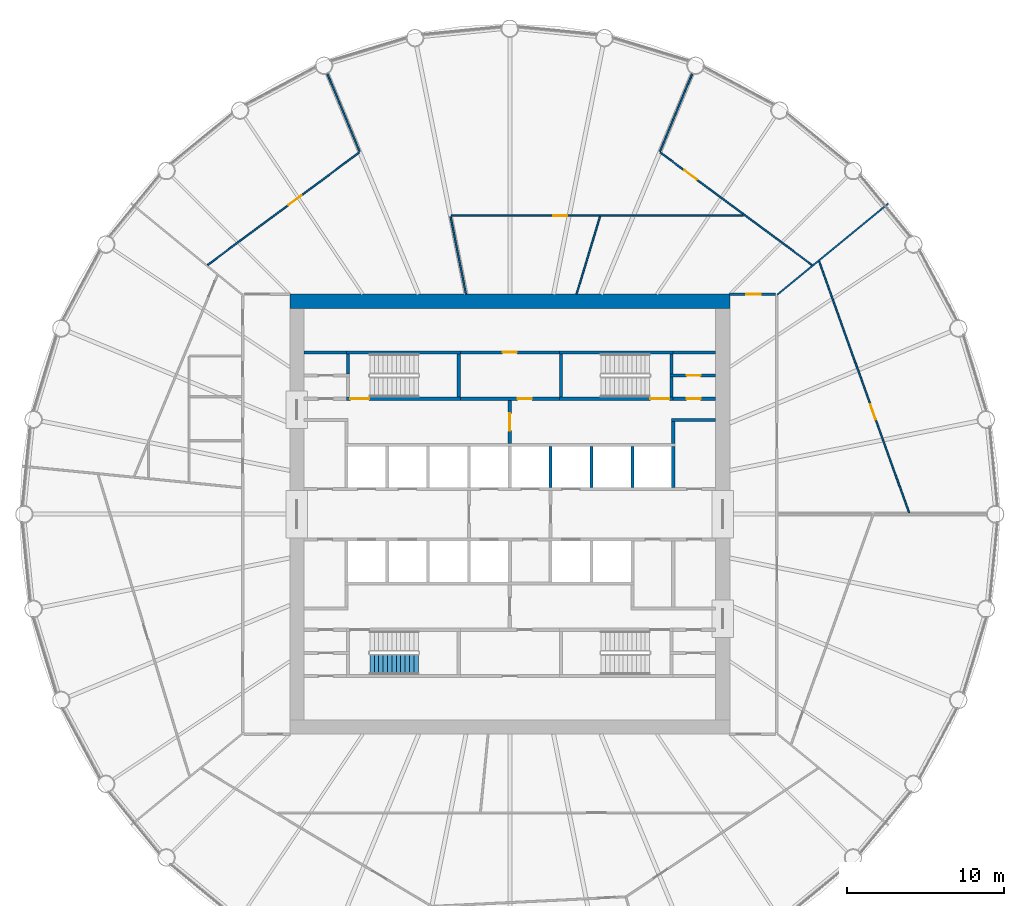
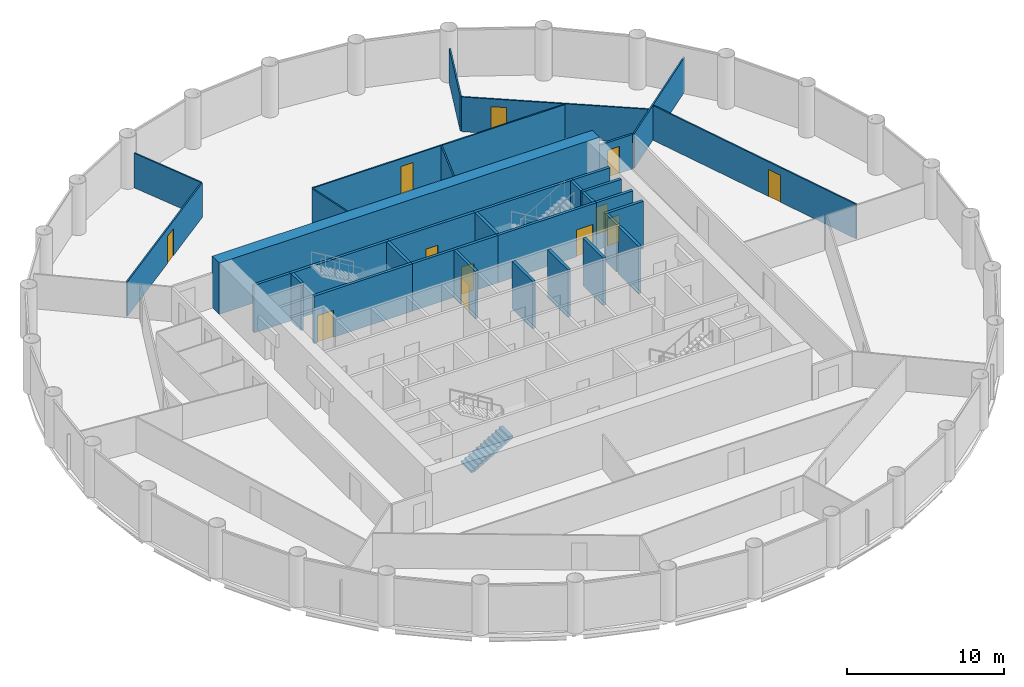
# One storey, part 7 of 9: 33 walls, 12 doors, 1 stair flight, 12 openings, 1 element without a shape of its own.
"""IFC4 building model written with IfcOpenShell, lengths in metres."""

from ifc_helpers import new_model, si_unit, direction, frame, frame_2d, origin, place, context, subcontext, project, spatial, polyline, rectangle, outline, extrude, material, layer, layer_set, type_object, element, fill, aggregate, save


model = new_model("IFC4")

# Units and contexts
model_context = context("Model", 3, precision=1e-05, world=origin(), true_north=direction((0.0, 1.0)))
body_context = subcontext(model_context, "Body", "Model", "MODEL_VIEW")
ifc_project = project(units=[si_unit("LENGTHUNIT", "METRE"), si_unit("AREAUNIT", "SQUARE_METRE"), si_unit("VOLUMEUNIT", "CUBIC_METRE"), si_unit("PLANEANGLEUNIT", "RADIAN"), si_unit("MASSUNIT", "GRAM", prefix="KILO")], contexts=[model_context])

# Site, building, storey
site_placement = place(None, origin())
site = spatial("IfcSite", under=ifc_project, at=site_placement, CompositionType="ELEMENT")
building_placement = place(site_placement, origin())
building = spatial("IfcBuilding", under=site, at=building_placement, Name="Corvane Civic Tower", CompositionType="ELEMENT")
storey_placement = place(building_placement, frame((0.0, 0.0, 164.0)))
storey = spatial("IfcBuildingStorey", under=building, at=storey_placement, Name="L38", CompositionType="ELEMENT", Elevation=164.0)

# Wall
ifc_material_1 = material(Name="Concrete C60/75", Category="concrete")
ifc_layer_1 = layer(ifc_material_1, 0.89990234375)
ifc_layer_set_1 = layer_set([ifc_layer_1], Name="Concrete C60/75")
wall_type_1 = type_object("IfcWallType", Name="CORE WALL 900 C60/75", PredefinedType="SHEAR", material=ifc_layer_set_1)
wall_1_placement = place(storey_placement, frame((-14.0, 13.550048828125, 0.0), z_axis=(0.0, 0.0, 1.0), x_axis=(1.0, 0.0, 0.0)))
element("IfcWall", 1, at=wall_1_placement, inside=storey, type_object=wall_type_1, Name="W-L38-core-N", PredefinedType="SHEAR", context=body_context, shape_type="SweptSolid", body=[
    extrude(rectangle(XDim=28.0, YDim=0.89990234375, at=frame_2d((14.0, 0.0))), origin(), (0.0, 0.0, 1.0), 4.0),
])

# Wall, opening, door
ifc_material_2 = material(Name="Concrete C30/37", Category="concrete")
ifc_layer_2 = layer(ifc_material_2, 0.199951171875)
ifc_layer_set_2 = layer_set([ifc_layer_2], Name="Concrete C30/37")
wall_type_2 = type_object("IfcWallType", Name="CR-WALL-200", PredefinedType="PARTITIONING", material=ifc_layer_set_2)
wall_2_placement = place(storey_placement, frame((-3.14990234375, 7.35009765625, 0.0), z_axis=(0.0, 0.0, 1.0), x_axis=(1.0, 0.0, 0.0)))
wall_2 = element("IfcWall", 2, at=wall_2_placement, inside=storey, type_object=wall_type_2, Name="L38 partition wall", PredefinedType="PARTITIONING", context=body_context, shape_type="SweptSolid", body=[
    extrude(rectangle(XDim=6.2998046875, YDim=0.199951171875, at=frame_2d((3.14990234375, 0.0))), origin(), (0.0, 0.0, 1.0), 3.699951171875),
])
opening_1_placement = place(wall_2_placement, frame((3.64990234375, 0.0, 0.0)))
opening_1 = element("IfcOpeningElement", 3, at=opening_1_placement, cuts=wall_2, Name="Opening L38.C07", PredefinedType="OPENING", context=body_context, shape_type="SweptSolid", body=[
    extrude(rectangle(XDim=0.89990234375, YDim=2.10009765625, at=frame_2d((0.449951171875, 1.050048828125))), frame((0.0, 0.10986328125, 0.0), z_axis=(0.0, -1.0, 0.0), x_axis=(1.0, 0.0, 0.0)), (0.0, 0.0, 1.0), 0.219970703125),
])
ifc_material_3 = material(Name="Steel fire door leaf", Category="steel")
door_type_1 = type_object("IfcDoorType", Name="CR-DOOR-900", OperationType="SINGLE_SWING_LEFT", PredefinedType="DOOR", material=ifc_material_3)
door_1_placement = place(opening_1_placement, origin())
door_1 = element("IfcDoor", 4, at=door_1_placement, inside=storey, type_object=door_type_1, Name="L38 door", OperationType="SINGLE_SWING_LEFT", OverallHeight=2.10009765625, OverallWidth=0.89990234375, PredefinedType="DOOR", context=body_context, shape_type="SweptSolid", body=[
    extrude(rectangle(XDim=0.89990234375, YDim=2.10009765625, at=frame_2d((0.449951171875, 1.050048828125))), frame((0.0, 0.02490234375, 0.0), z_axis=(0.0, -1.0, 0.0), x_axis=(1.0, 0.0, 0.0)), (0.0, 0.0, 1.0), 0.050048828125),
])
fill(opening_1, door_1)

wall_3_placement = place(storey_placement, frame((10.39990234375, 7.35009765625, 0.0), z_axis=(0.0, 0.0, 1.0), x_axis=(1.0, 0.0, 0.0)))
wall_3 = element("IfcWall", 5, at=wall_3_placement, inside=storey, type_object=wall_type_2, Name="L38 core partition wall", PredefinedType="PARTITIONING", context=body_context, shape_type="SweptSolid", body=[
    extrude(rectangle(XDim=2.7001953125, YDim=0.199951171875, at=frame_2d((1.35009765625, 0.0))), origin(), (0.0, 0.0, 1.0), 3.699951171875),
])
opening_2_placement = place(wall_3_placement, frame((0.85009765625, 0.0, 0.0)))
opening_2 = element("IfcOpeningElement", 6, at=opening_2_placement, cuts=wall_3, Name="Opening L38.C16", PredefinedType="OPENING", context=body_context, shape_type="SweptSolid", body=[
    extrude(rectangle(XDim=0.89990234375, YDim=2.10009765625, at=frame_2d((0.449951171875, 1.050048828125))), frame((0.0, 0.10986328125, 0.0), z_axis=(0.0, -1.0, 0.0), x_axis=(1.0, 0.0, 0.0)), (0.0, 0.0, 1.0), 0.219970703125),
])
door_2_placement = place(opening_2_placement, origin())
door_2 = element("IfcDoor", 7, at=door_2_placement, inside=storey, type_object=door_type_1, Name="L38 door", OperationType="SINGLE_SWING_LEFT", OverallHeight=2.10009765625, OverallWidth=0.89990234375, PredefinedType="DOOR", context=body_context, shape_type="SweptSolid", body=[
    extrude(rectangle(XDim=0.89990234375, YDim=2.10009765625, at=frame_2d((0.449951171875, 1.050048828125))), frame((0.0, 0.02490234375, 0.0), z_axis=(0.0, -1.0, 0.0), x_axis=(1.0, 0.0, 0.0)), (0.0, 0.0, 1.0), 0.050048828125),
])
fill(opening_2, door_2)

wall_4_placement = place(storey_placement, frame((10.199951171875, 8.824951171875, 0.0), z_axis=(0.0, 0.0, 1.0), x_axis=(1.0, 0.0, 0.0)))
wall_4 = element("IfcWall", 8, at=wall_4_placement, inside=storey, type_object=wall_type_2, Name="L38 partition wall", PredefinedType="PARTITIONING", context=body_context, shape_type="SweptSolid", body=[
    extrude(rectangle(XDim=2.900146484375, YDim=0.199951171875, at=frame_2d((1.4501953125, 0.0))), origin(), (0.0, 0.0, 1.0), 3.699951171875),
])
opening_3_placement = place(wall_4_placement, frame((1.050048828125, 0.0, 0.0)))
opening_3 = element("IfcOpeningElement", 9, at=opening_3_placement, cuts=wall_4, Name="Opening L38.C17", PredefinedType="OPENING", context=body_context, shape_type="SweptSolid", body=[
    extrude(rectangle(XDim=0.89990234375, YDim=2.10009765625, at=frame_2d((0.449951171875, 1.050048828125))), frame((0.0, 0.10986328125, 0.0), z_axis=(0.0, -1.0, 0.0), x_axis=(1.0, 0.0, 0.0)), (0.0, 0.0, 1.0), 0.219970703125),
])
door_3_placement = place(opening_3_placement, origin())
door_3 = element("IfcDoor", 10, at=door_3_placement, inside=storey, type_object=door_type_1, Name="L38 door", OperationType="SINGLE_SWING_LEFT", OverallHeight=2.10009765625, OverallWidth=0.89990234375, PredefinedType="DOOR", context=body_context, shape_type="SweptSolid", body=[
    extrude(rectangle(XDim=0.89990234375, YDim=2.10009765625, at=frame_2d((0.449951171875, 1.050048828125))), frame((0.0, 0.02490234375, 0.0), z_axis=(0.0, -1.0, 0.0), x_axis=(1.0, 0.0, 0.0)), (0.0, 0.0, 1.0), 0.050048828125),
])
fill(opening_3, door_3)

wall_5_placement = place(storey_placement, frame((-3.14990234375, 10.300048828125, 0.0), z_axis=(0.0, 0.0, 1.0), x_axis=(1.0, 0.0, 0.0)))
wall_5 = element("IfcWall", 11, at=wall_5_placement, inside=storey, type_object=wall_type_2, Name="L38 partition wall", PredefinedType="PARTITIONING", context=body_context, shape_type="SweptSolid", body=[
    extrude(rectangle(XDim=6.2998046875, YDim=0.199951171875, at=frame_2d((3.14990234375, 0.0))), origin(), (0.0, 0.0, 1.0), 3.699951171875),
])
opening_4_placement = place(wall_5_placement, frame((2.699951171875, 0.0, 0.0)))
opening_4 = element("IfcOpeningElement", 12, at=opening_4_placement, cuts=wall_5, Name="Opening L38.C09", PredefinedType="OPENING", context=body_context, shape_type="SweptSolid", body=[
    extrude(rectangle(XDim=0.89990234375, YDim=2.10009765625, at=frame_2d((0.449951171875, 1.050048828125))), frame((0.0, 0.10986328125, 0.0), z_axis=(0.0, -1.0, 0.0), x_axis=(1.0, 0.0, 0.0)), (0.0, 0.0, 1.0), 0.219970703125),
])
door_4_placement = place(opening_4_placement, origin())
door_4 = element("IfcDoor", 13, at=door_4_placement, inside=storey, type_object=door_type_1, Name="L38 door", OperationType="SINGLE_SWING_LEFT", OverallHeight=2.10009765625, OverallWidth=0.89990234375, PredefinedType="DOOR", context=body_context, shape_type="SweptSolid", body=[
    extrude(rectangle(XDim=0.89990234375, YDim=2.10009765625, at=frame_2d((0.449951171875, 1.050048828125))), frame((0.0, 0.02490234375, 0.0), z_axis=(0.0, -1.0, 0.0), x_axis=(1.0, 0.0, 0.0)), (0.0, 0.0, 1.0), 0.050048828125),
])
fill(opening_4, door_4)

wall_6_placement = place(storey_placement, frame((0.0, 4.5, 0.0), z_axis=(0.0, 0.0, 1.0), x_axis=(0.0, 1.0, 0.0)))
wall_6 = element("IfcWall", 14, at=wall_6_placement, inside=storey, type_object=wall_type_2, Name="L38 core partition wall", PredefinedType="PARTITIONING", context=body_context, shape_type="SweptSolid", body=[
    extrude(rectangle(XDim=2.75, YDim=0.199951171875, at=frame_2d((1.375, 0.0))), origin(), (0.0, 0.0, 1.0), 3.699951171875),
])
opening_5_placement = place(wall_6_placement, frame((0.824951171875, 0.0, 0.0)))
opening_5 = element("IfcOpeningElement", 15, at=opening_5_placement, cuts=wall_6, Name="Opening L38.C26", PredefinedType="OPENING", context=body_context, shape_type="SweptSolid", body=[
    extrude(rectangle(XDim=1.10009765625, YDim=2.10009765625, at=frame_2d((0.550048828125, 1.050048828125))), frame((0.0, 0.10986328125, 0.0), z_axis=(0.0, -1.0, 0.0), x_axis=(1.0, 0.0, 0.0)), (0.0, 0.0, 1.0), 0.219970703125),
])
ifc_material_4 = material(Name="Steel fire door leaf", Category="steel")
door_type_2 = type_object("IfcDoorType", Name="CR-DOOR-FFL-1100", OperationType="SINGLE_SWING_LEFT", PredefinedType="DOOR", material=ifc_material_4)
door_5_placement = place(opening_5_placement, origin())
door_5 = element("IfcDoor", 16, at=door_5_placement, inside=storey, type_object=door_type_2, Name="L38 lobby door", OperationType="SINGLE_SWING_LEFT", OverallHeight=2.10009765625, OverallWidth=1.10009765625, PredefinedType="DOOR", context=body_context, shape_type="SweptSolid", body=[
    extrude(rectangle(XDim=1.10009765625, YDim=2.10009765625, at=frame_2d((0.550048828125, 1.050048828125))), frame((0.0, 0.02490234375, 0.0), z_axis=(0.0, -1.0, 0.0), x_axis=(1.0, 0.0, 0.0)), (0.0, 0.0, 1.0), 0.050048828125),
])
fill(opening_5, door_5)

# Walls
wall_7_placement = place(storey_placement, origin())
element("IfcWall", 17, at=wall_7_placement, inside=storey, type_object=wall_type_2, Name="L38 core partition wall", PredefinedType="PARTITIONING", context=body_context, shape_type="SweptSolid", body=[
    extrude(outline(polyline([(13.10009765625, 5.89990234375), (10.300048828125, 5.89990234375), (10.300048828125, 6.10009765625), (13.10009765625, 6.10009765625), (13.10009765625, 5.89990234375)])), origin(), (0.0, 0.0, 1.0), 3.699951171875),
])
wall_8_placement = place(storey_placement, origin())
element("IfcWall", 18, at=wall_8_placement, inside=storey, type_object=wall_type_2, Name="L38 core partition wall", PredefinedType="PARTITIONING", context=body_context, shape_type="SweptSolid", body=[
    extrude(outline(polyline([(2.699951171875, 1.699951171875), (2.5, 1.699951171875), (2.5, 4.2998046875), (2.699951171875, 4.2998046875), (2.699951171875, 1.699951171875)])), origin(), (0.0, 0.0, 1.0), 3.699951171875),
])
wall_9_placement = place(storey_placement, origin())
element("IfcWall", 19, at=wall_9_placement, inside=storey, type_object=wall_type_2, Name="L38 core partition wall", PredefinedType="PARTITIONING", context=body_context, shape_type="SweptSolid", body=[
    extrude(outline(polyline([(5.300048828125, 1.699951171875), (5.10009765625, 1.699951171875), (5.10009765625, 4.2998046875), (5.300048828125, 4.2998046875), (5.300048828125, 1.699951171875)])), origin(), (0.0, 0.0, 1.0), 3.699951171875),
])
wall_10_placement = place(storey_placement, origin())
element("IfcWall", 20, at=wall_10_placement, inside=storey, type_object=wall_type_2, Name="L38 core partition wall", PredefinedType="PARTITIONING", context=body_context, shape_type="SweptSolid", body=[
    extrude(outline(polyline([(7.89990234375, 1.699951171875), (7.699951171875, 1.699951171875), (7.699951171875, 4.2998046875), (7.89990234375, 4.2998046875), (7.89990234375, 1.699951171875)])), origin(), (0.0, 0.0, 1.0), 3.699951171875),
])
wall_11_placement = place(storey_placement, origin())
element("IfcWall", 21, at=wall_11_placement, inside=storey, type_object=wall_type_2, Name="L38 core partition wall", PredefinedType="PARTITIONING", context=body_context, shape_type="SweptSolid", body=[
    extrude(outline(polyline([(10.5, 1.699951171875), (10.300048828125, 1.699951171875), (10.300048828125, 4.2998046875), (10.5, 4.2998046875), (10.5, 1.699951171875)])), origin(), (0.0, 0.0, 1.0), 3.699951171875),
])
wall_12_placement = place(storey_placement, origin())
element("IfcWall", 22, at=wall_12_placement, inside=storey, type_object=wall_type_2, Name="L38 core partition wall", PredefinedType="PARTITIONING", context=body_context, shape_type="SweptSolid", body=[
    extrude(outline(polyline([(10.5, 4.5), (10.300048828125, 4.5), (10.300048828125, 5.89990234375), (10.5, 5.89990234375), (10.5, 4.5)])), origin(), (0.0, 0.0, 1.0), 3.699951171875),
])
wall_13_placement = place(storey_placement, origin())
element("IfcWall", 23, at=wall_13_placement, inside=storey, type_object=wall_type_2, Name="L38 core partition wall", PredefinedType="PARTITIONING", context=body_context, shape_type="SweptSolid", body=[
    extrude(outline(polyline([(-13.10009765625, 10.199951171875), (-13.10009765625, 10.39990234375), (-10.39990234375, 10.39990234375), (-10.39990234375, 10.199951171875), (-13.10009765625, 10.199951171875)])), origin(), (0.0, 0.0, 1.0), 3.699951171875),
])
wall_14_placement = place(storey_placement, origin())
element("IfcWall", 24, at=wall_14_placement, inside=storey, type_object=wall_type_2, Name="L38 core partition wall", PredefinedType="PARTITIONING", context=body_context, shape_type="SweptSolid", body=[
    extrude(outline(polyline([(10.39990234375, 10.199951171875), (10.39990234375, 10.39990234375), (13.10009765625, 10.39990234375), (13.10009765625, 10.199951171875), (10.39990234375, 10.199951171875)])), origin(), (0.0, 0.0, 1.0), 3.699951171875),
])

# Wall, opening, door
ifc_material_5 = material(Name="Plasterboard")
ifc_layer_3 = layer(ifc_material_5, 0.10009765625)
ifc_layer_set_3 = layer_set([ifc_layer_3], Name="Plasterboard")
wall_type_3 = type_object("IfcWallType", Name="Partition 100 plasterboard on studs", PredefinedType="PARTITIONING", material=ifc_layer_set_3)
wall_15_placement = place(storey_placement, frame((19.69189453125, 16.07421875, 0.0), z_axis=(0.0, 0.0, 1.0), x_axis=(0.33689125471, -0.941543563782, 0.0)))
wall_15 = element("IfcWall", 25, at=wall_15_placement, inside=storey, type_object=wall_type_3, Name="Partition L38.018", PredefinedType="PARTITIONING", context=body_context, shape_type="SweptSolid", body=[
    extrude(rectangle(XDim=17.001220703125, YDim=0.10009765625, at=frame_2d((8.50048828125, 0.0))), origin(), (0.0, 0.0, 1.0), 2.699951171875),
])
opening_6_placement = place(wall_15_placement, frame((9.663818359375, 0.0, 0.0)))
opening_6 = element("IfcOpeningElement", 26, at=opening_6_placement, cuts=wall_15, Name="Opening L38.012", PredefinedType="OPENING", context=body_context, shape_type="SweptSolid", body=[
    extrude(rectangle(XDim=1.0, YDim=2.10009765625, at=frame_2d((0.5, 1.050048828125))), frame((0.0, 0.06005859375, 0.0), z_axis=(0.0, -1.0, 0.0), x_axis=(1.0, 0.0, 0.0)), (0.0, 0.0, 1.0), 0.1201171875),
])
ifc_material_6 = material(Name="Timber", Category="wood")
door_type_3 = type_object("IfcDoorType", Name="Single door 1000", OperationType="NOTDEFINED", PredefinedType="DOOR", material=ifc_material_6)
door_6_placement = place(opening_6_placement, origin())
door_6 = element("IfcDoor", 27, at=door_6_placement, inside=storey, type_object=door_type_3, Name="Door L38.012", OperationType="SINGLE_SWING_LEFT", OverallHeight=2.10009765625, OverallWidth=1.0, PredefinedType="DOOR", context=body_context, shape_type="SweptSolid", body=[
    extrude(rectangle(XDim=1.0, YDim=2.10009765625, at=frame_2d((0.5, 1.050048828125))), frame((0.0, 0.02490234375, 0.0), z_axis=(0.0, -1.0, 0.0), x_axis=(1.0, 0.0, 0.0)), (0.0, 0.0, 1.0), 0.050048828125),
])
fill(opening_6, door_6)

# Walls
wall_16_placement = place(storey_placement, frame((17.018310546875, 13.966552734375, 0.0), z_axis=(0.0, 0.0, 1.0), x_axis=(0.773006154143, 0.634398522742, 0.0)))
element("IfcWall", 28, at=wall_16_placement, inside=storey, type_object=wall_type_3, Name="Partition L38.027", PredefinedType="PARTITIONING", context=body_context, shape_type="SweptSolid", body=[
    extrude(rectangle(XDim=9.134521484375, YDim=0.10009765625, at=frame_2d((4.5673828125, 0.0))), origin(), (0.0, 0.0, 1.0), 2.699951171875),
])
wall_17_placement = place(storey_placement, frame((-3.767333984375, 18.940185546875, 0.0), z_axis=(0.0, 0.0, 1.0), x_axis=(0.195044080864, -0.980794477207, 0.0)))
element("IfcWall", 29, at=wall_17_placement, inside=storey, type_object=wall_type_3, Name="Partition L38.029", PredefinedType="PARTITIONING", context=body_context, shape_type="SweptSolid", body=[
    extrude(rectangle(XDim=5.036865234375, YDim=0.10009765625, at=frame_2d((2.5185546875, 0.0))), origin(), (0.0, 0.0, 1.0), 2.699951171875),
])
wall_18_placement = place(storey_placement, frame((4.246826171875, 14.0, 0.0), z_axis=(0.0, 0.0, 1.0), x_axis=(0.29026488673, 0.956946338899, 0.0)))
element("IfcWall", 30, at=wall_18_placement, inside=storey, type_object=wall_type_3, Name="Partition L38.030", PredefinedType="PARTITIONING", context=body_context, shape_type="SweptSolid", body=[
    extrude(rectangle(XDim=5.15771484375, YDim=0.10009765625, at=frame_2d((2.578857421875, 0.0))), origin(), (0.0, 0.0, 1.0), 2.699951171875),
])

# Wall, opening, door
wall_19_placement = place(storey_placement, frame((-19.2294921875, 15.861572265625, 0.0), z_axis=(0.0, 0.0, 1.0), x_axis=(0.80320870708, 0.595697719376, 0.0)))
wall_19 = element("IfcWall", 31, at=wall_19_placement, inside=storey, type_object=wall_type_3, Name="Partition L38.032", PredefinedType="PARTITIONING", context=body_context, shape_type="SweptSolid", body=[
    extrude(rectangle(XDim=12.01806640625, YDim=0.10009765625, at=frame_2d((6.009033203125, 0.0))), origin(), (0.0, 0.0, 1.0), 2.699951171875),
])
opening_7_placement = place(wall_19_placement, frame((6.42236328125, 0.0, 0.0)))
opening_7 = element("IfcOpeningElement", 32, at=opening_7_placement, cuts=wall_19, Name="Opening L38.001", PredefinedType="OPENING", context=body_context, shape_type="SweptSolid", body=[
    extrude(rectangle(XDim=1.0, YDim=2.10009765625, at=frame_2d((0.5, 1.050048828125))), frame((0.0, 0.06005859375, 0.0), z_axis=(0.0, -1.0, 0.0), x_axis=(1.0, 0.0, 0.0)), (0.0, 0.0, 1.0), 0.1201171875),
])
door_7_placement = place(opening_7_placement, origin())
door_7 = element("IfcDoor", 33, at=door_7_placement, inside=storey, type_object=door_type_3, Name="Door L38.001", OperationType="SINGLE_SWING_RIGHT", OverallHeight=2.10009765625, OverallWidth=1.0, PredefinedType="DOOR", context=body_context, shape_type="SweptSolid", body=[
    extrude(rectangle(XDim=1.0, YDim=2.10009765625, at=frame_2d((0.5, 1.050048828125))), frame((0.0, 0.02490234375, 0.0), z_axis=(0.0, -1.0, 0.0), x_axis=(1.0, 0.0, 0.0)), (0.0, 0.0, 1.0), 0.050048828125),
])
fill(opening_7, door_7)

wall_20_placement = place(storey_placement, frame((9.576416015625, 23.020751953125, 0.0), z_axis=(0.0, 0.0, 1.0), x_axis=(0.80320870708, -0.595697719376, 0.0)))
wall_20 = element("IfcWall", 34, at=wall_20_placement, inside=storey, type_object=wall_type_3, Name="Partition L38.033", PredefinedType="PARTITIONING", context=body_context, shape_type="SweptSolid", body=[
    extrude(rectangle(XDim=12.01806640625, YDim=0.10009765625, at=frame_2d((6.009033203125, 0.0))), origin(), (0.0, 0.0, 1.0), 2.699951171875),
])
opening_8_placement = place(wall_20_placement, frame((1.90576171875, 0.0, 0.0)))
opening_8 = element("IfcOpeningElement", 35, at=opening_8_placement, cuts=wall_20, Name="Opening L38.002", PredefinedType="OPENING", context=body_context, shape_type="SweptSolid", body=[
    extrude(rectangle(XDim=1.0, YDim=2.10009765625, at=frame_2d((0.5, 1.050048828125))), frame((0.0, 0.06005859375, 0.0), z_axis=(0.0, -1.0, 0.0), x_axis=(1.0, 0.0, 0.0)), (0.0, 0.0, 1.0), 0.1201171875),
])
door_8_placement = place(opening_8_placement, origin())
door_8 = element("IfcDoor", 36, at=door_8_placement, inside=storey, type_object=door_type_3, Name="Door L38.002", OperationType="SINGLE_SWING_LEFT", OverallHeight=2.10009765625, OverallWidth=1.0, PredefinedType="DOOR", context=body_context, shape_type="SweptSolid", body=[
    extrude(rectangle(XDim=1.0, YDim=2.10009765625, at=frame_2d((0.5, 1.050048828125))), frame((0.0, 0.02490234375, 0.0), z_axis=(0.0, -1.0, 0.0), x_axis=(1.0, 0.0, 0.0)), (0.0, 0.0, 1.0), 0.050048828125),
])
fill(opening_8, door_8)

wall_21_placement = place(storey_placement, frame((-3.718505859375, 19.0, 0.0), z_axis=(0.0, 0.0, 1.0), x_axis=(1.0, 0.0, 0.0)))
wall_21 = element("IfcWall", 37, at=wall_21_placement, inside=storey, type_object=wall_type_3, Name="Partition L38.034", PredefinedType="PARTITIONING", context=body_context, shape_type="SweptSolid", body=[
    extrude(rectangle(XDim=18.565185546875, YDim=0.10009765625, at=frame_2d((9.28271484375, 0.0))), origin(), (0.0, 0.0, 1.0), 2.699951171875),
])
opening_9_placement = place(wall_21_placement, frame((6.47998046875, 0.0, 0.0)))
opening_9 = element("IfcOpeningElement", 38, at=opening_9_placement, cuts=wall_21, Name="Opening L38.004", PredefinedType="OPENING", context=body_context, shape_type="SweptSolid", body=[
    extrude(rectangle(XDim=0.89990234375, YDim=2.10009765625, at=frame_2d((0.449951171875, 1.050048828125))), frame((0.0, 0.06005859375, 0.0), z_axis=(0.0, -1.0, 0.0), x_axis=(1.0, 0.0, 0.0)), (0.0, 0.0, 1.0), 0.1201171875),
])
ifc_material_7 = material(Name="Timber", Category="wood")
door_type_4 = type_object("IfcDoorType", Name="Single door 900", OperationType="NOTDEFINED", PredefinedType="DOOR", material=ifc_material_7)
door_9_placement = place(opening_9_placement, frame((0.89990234375, 0.0, 0.0), z_axis=(0.0, 0.0, 1.0), x_axis=(-1.0, 0.0, 0.0)))
door_9 = element("IfcDoor", 39, at=door_9_placement, inside=storey, type_object=door_type_4, Name="Door L38.004", OperationType="SINGLE_SWING_RIGHT", OverallHeight=2.10009765625, OverallWidth=0.89990234375, PredefinedType="DOOR", context=body_context, shape_type="SweptSolid", body=[
    extrude(rectangle(XDim=0.89990234375, YDim=2.10009765625, at=frame_2d((0.449951171875, 1.050048828125))), frame((0.0, 0.02490234375, 0.0), z_axis=(0.0, -1.0, 0.0), x_axis=(1.0, 0.0, 0.0)), (0.0, 0.0, 1.0), 0.050048828125),
])
fill(opening_9, door_9)

# Walls
for number, where, z_axis, x_axis, name in (
    (40, (-11.610595703125, 28.030517578125, 0.0), (0.0, 0.0, 1.0), (0.382683105521, -0.923879667895, 0.0), "Partition L38.035"),
    (41, (9.56005859375, 23.080078125, 0.0), (0.0, 0.0, 1.0), (0.382683105521, 0.923879667895, 0.0), "Partition L38.036"),
):
    element("IfcWall", number, at=place(storey_placement, frame(where, z_axis=z_axis, x_axis=x_axis)), inside=storey, type_object=wall_type_3, Name=name, PredefinedType="PARTITIONING", context=body_context, shape_type="SweptSolid", body=[
        extrude(rectangle(XDim=5.3583984375, YDim=0.10009765625, at=frame_2d((2.67919921875, 0.0))), origin(), (0.0, 0.0, 1.0), 2.699951171875),
    ])

# Wall, opening, door
ifc_material_8 = material(Name="Concrete C50/60", Category="concrete")
ifc_layer_4 = layer(ifc_material_8, 0.199951171875)
ifc_layer_set_4 = layer_set([ifc_layer_4], Name="Concrete C50/60")
wall_type_4 = type_object("IfcWallType", Name="ST-WALL-200", PredefinedType="SHEAR", material=ifc_layer_set_4)
wall_22_placement = place(storey_placement, frame((-10.39990234375, 7.35009765625, 0.0), z_axis=(0.0, 0.0, 1.0), x_axis=(1.0, 0.0, 0.0)))
wall_22 = element("IfcWall", 42, at=wall_22_placement, inside=storey, type_object=wall_type_4, Name="L38 stair enclosure wall", PredefinedType="SHEAR", context=body_context, shape_type="SweptSolid", body=[
    extrude(rectangle(XDim=7.25, YDim=0.199951171875, at=frame_2d((3.625, 0.0))), origin(), (0.0, 0.0, 1.0), 3.699951171875),
])
opening_10_placement = place(wall_22_placement, frame((0.25, 0.0, 0.0)))
opening_10 = element("IfcOpeningElement", 43, at=opening_10_placement, cuts=wall_22, Name="Opening L38.C21", PredefinedType="OPENING", context=body_context, shape_type="SweptSolid", body=[
    extrude(rectangle(XDim=1.199951171875, YDim=2.10009765625, at=frame_2d((0.60009765625, 1.050048828125))), frame((0.0, 0.10986328125, 0.0), z_axis=(0.0, -1.0, 0.0), x_axis=(1.0, 0.0, 0.0)), (0.0, 0.0, 1.0), 0.219970703125),
])
ifc_material_9 = material(Name="Steel fire door leaf", Category="steel")
door_type_5 = type_object("IfcDoorType", Name="ST-DOOR-1200", OperationType="SINGLE_SWING_RIGHT", PredefinedType="DOOR", material=ifc_material_9)
door_10_placement = place(opening_10_placement, origin())
door_10 = element("IfcDoor", 44, at=door_10_placement, inside=storey, type_object=door_type_5, Name="L38 stair door", OperationType="SINGLE_SWING_RIGHT", OverallHeight=2.10009765625, OverallWidth=1.199951171875, PredefinedType="DOOR", context=body_context, shape_type="SweptSolid", body=[
    extrude(rectangle(XDim=1.199951171875, YDim=2.10009765625, at=frame_2d((0.60009765625, 1.050048828125))), frame((0.0, 0.02490234375, 0.0), z_axis=(0.0, -1.0, 0.0), x_axis=(1.0, 0.0, 0.0)), (0.0, 0.0, 1.0), 0.050048828125),
])
fill(opening_10, door_10)

wall_23_placement = place(storey_placement, frame((3.14990234375, 7.35009765625, 0.0), z_axis=(0.0, 0.0, 1.0), x_axis=(1.0, 0.0, 0.0)))
wall_23 = element("IfcWall", 45, at=wall_23_placement, inside=storey, type_object=wall_type_4, Name="L38 stair enclosure wall", PredefinedType="SHEAR", context=body_context, shape_type="SweptSolid", body=[
    extrude(rectangle(XDim=7.25, YDim=0.199951171875, at=frame_2d((3.625, 0.0))), origin(), (0.0, 0.0, 1.0), 3.699951171875),
])
opening_11_placement = place(wall_23_placement, frame((5.800048828125, 0.0, 0.0)))
opening_11 = element("IfcOpeningElement", 46, at=opening_11_placement, cuts=wall_23, Name="Opening L38.C20", PredefinedType="OPENING", context=body_context, shape_type="SweptSolid", body=[
    extrude(rectangle(XDim=1.199951171875, YDim=2.10009765625, at=frame_2d((0.60009765625, 1.050048828125))), frame((0.0, 0.10986328125, 0.0), z_axis=(0.0, -1.0, 0.0), x_axis=(1.0, 0.0, 0.0)), (0.0, 0.0, 1.0), 0.219970703125),
])
door_11_placement = place(opening_11_placement, origin())
door_11 = element("IfcDoor", 47, at=door_11_placement, inside=storey, type_object=door_type_5, Name="L38 stair door", OperationType="SINGLE_SWING_RIGHT", OverallHeight=2.10009765625, OverallWidth=1.199951171875, PredefinedType="DOOR", context=body_context, shape_type="SweptSolid", body=[
    extrude(rectangle(XDim=1.199951171875, YDim=2.10009765625, at=frame_2d((0.60009765625, 1.050048828125))), frame((0.0, 0.02490234375, 0.0), z_axis=(0.0, -1.0, 0.0), x_axis=(1.0, 0.0, 0.0)), (0.0, 0.0, 1.0), 0.050048828125),
])
fill(opening_11, door_11)

# Walls
wall_24_placement = place(storey_placement, origin())
element("IfcWall", 48, at=wall_24_placement, inside=storey, type_object=wall_type_4, Name="L38 stair enclosure wall", PredefinedType="SHEAR", context=body_context, shape_type="SweptSolid", body=[
    extrude(outline(polyline([(-3.14990234375, 10.199951171875), (-10.39990234375, 10.199951171875), (-10.39990234375, 10.39990234375), (-3.14990234375, 10.39990234375), (-3.14990234375, 10.199951171875)])), origin(), (0.0, 0.0, 1.0), 3.699951171875),
])
wall_25_placement = place(storey_placement, origin())
element("IfcWall", 49, at=wall_25_placement, inside=storey, type_object=wall_type_4, Name="L38 stair enclosure wall", PredefinedType="SHEAR", context=body_context, shape_type="SweptSolid", body=[
    extrude(outline(polyline([(10.39990234375, 10.199951171875), (3.14990234375, 10.199951171875), (3.14990234375, 10.39990234375), (10.39990234375, 10.39990234375), (10.39990234375, 10.199951171875)])), origin(), (0.0, 0.0, 1.0), 3.699951171875),
])
wall_26_placement = place(storey_placement, origin())
element("IfcWall", 50, at=wall_26_placement, inside=storey, type_object=wall_type_4, Name="L38 stair enclosure wall", PredefinedType="SHEAR", context=body_context, shape_type="SweptSolid", body=[
    extrude(outline(polyline([(-3.14990234375, 7.449951171875), (-3.35009765625, 7.449951171875), (-3.35009765625, 10.199951171875), (-3.14990234375, 10.199951171875), (-3.14990234375, 7.449951171875)])), origin(), (0.0, 0.0, 1.0), 3.699951171875),
])
wall_27_placement = place(storey_placement, origin())
element("IfcWall", 51, at=wall_27_placement, inside=storey, type_object=wall_type_4, Name="L38 stair enclosure wall", PredefinedType="SHEAR", context=body_context, shape_type="SweptSolid", body=[
    extrude(outline(polyline([(3.35009765625, 7.449951171875), (3.14990234375, 7.449951171875), (3.14990234375, 10.199951171875), (3.35009765625, 10.199951171875), (3.35009765625, 7.449951171875)])), origin(), (0.0, 0.0, 1.0), 3.699951171875),
])
wall_28_placement = place(storey_placement, origin())
element("IfcWall", 52, at=wall_28_placement, inside=storey, type_object=wall_type_4, Name="L38 stair enclosure wall", PredefinedType="SHEAR", context=body_context, shape_type="SweptSolid", body=[
    extrude(outline(polyline([(10.39990234375, 8.72509765625), (10.39990234375, 7.449951171875), (10.199951171875, 7.449951171875), (10.199951171875, 8.72509765625), (10.39990234375, 8.72509765625)])), origin(), (0.0, 0.0, 1.0), 3.699951171875),
])
wall_29_placement = place(storey_placement, origin())
element("IfcWall", 53, at=wall_29_placement, inside=storey, type_object=wall_type_4, Name="L38 stair enclosure wall", PredefinedType="SHEAR", context=body_context, shape_type="SweptSolid", body=[
    extrude(outline(polyline([(-10.199951171875, 8.925048828125), (-10.39990234375, 8.925048828125), (-10.39990234375, 10.199951171875), (-10.199951171875, 10.199951171875), (-10.199951171875, 8.925048828125)])), origin(), (0.0, 0.0, 1.0), 3.699951171875),
])
wall_30_placement = place(storey_placement, origin())
element("IfcWall", 54, at=wall_30_placement, inside=storey, type_object=wall_type_4, Name="L38 stair enclosure wall", PredefinedType="SHEAR", context=body_context, shape_type="SweptSolid", body=[
    extrude(outline(polyline([(10.39990234375, 8.925048828125), (10.199951171875, 8.925048828125), (10.199951171875, 10.199951171875), (10.39990234375, 10.199951171875), (10.39990234375, 8.925048828125)])), origin(), (0.0, 0.0, 1.0), 3.699951171875),
])

# Wall, opening, door
ifc_material_10 = material(Name="Plasterboard")
ifc_layer_5 = layer(ifc_material_10, 0.14990234375)
ifc_layer_set_5 = layer_set([ifc_layer_5], Name="Plasterboard")
wall_type_5 = type_object("IfcWallType", Name="Tenancy wall 150 EI 60", PredefinedType="PARTITIONING", material=ifc_layer_set_5)
wall_31_placement = place(storey_placement, frame((13.989990234375, 14.0, 0.0), z_axis=(0.0, 0.0, 1.0), x_axis=(1.0, 0.0, 0.0)))
wall_31 = element("IfcWall", 55, at=wall_31_placement, inside=storey, type_object=wall_type_5, Name="Partition L38.031", PredefinedType="PARTITIONING", context=body_context, shape_type="SweptSolid", body=[
    extrude(rectangle(XDim=2.93505859375, YDim=0.14990234375, at=frame_2d((1.467529296875, 0.0))), origin(), (0.0, 0.0, 1.0), 2.699951171875),
])
opening_12_placement = place(wall_31_placement, frame((1.06591796875, 0.0, 0.0)))
opening_12 = element("IfcOpeningElement", 56, at=opening_12_placement, cuts=wall_31, Name="Opening L38.005", PredefinedType="OPENING", context=body_context, shape_type="SweptSolid", body=[
    extrude(rectangle(XDim=0.89990234375, YDim=2.10009765625, at=frame_2d((0.449951171875, 1.050048828125))), frame((0.0, 0.0849609375, 0.0), z_axis=(0.0, -1.0, 0.0), x_axis=(1.0, 0.0, 0.0)), (0.0, 0.0, 1.0), 0.169921875),
])
ifc_material_11 = material(Name="Steel and timber", Category="steel")
door_type_6 = type_object("IfcDoorType", Name="Fire door FD30S 900", OperationType="NOTDEFINED", PredefinedType="DOOR", material=ifc_material_11)
door_12_placement = place(opening_12_placement, origin())
door_12 = element("IfcDoor", 57, at=door_12_placement, inside=storey, type_object=door_type_6, Name="Door L38.005", OperationType="SINGLE_SWING_LEFT", OverallHeight=2.10009765625, OverallWidth=0.89990234375, PredefinedType="DOOR", context=body_context, shape_type="SweptSolid", body=[
    extrude(rectangle(XDim=0.89990234375, YDim=2.10009765625, at=frame_2d((0.449951171875, 1.050048828125))), frame((0.0, 0.02490234375, 0.0), z_axis=(0.0, -1.0, 0.0), x_axis=(1.0, 0.0, 0.0)), (0.0, 0.0, 1.0), 0.050048828125),
])
fill(opening_12, door_12)

# Stair, stair flight
ifc_material_12 = material(Name="Concrete C40/50", Category="concrete")
stair_type = type_object("IfcStairType", Name="ST-STAIR-HALFTURN", PredefinedType="HALF_TURN_STAIR", material=ifc_material_12)
stair_placement = place(storey_placement, origin())
stair = element("IfcStair", 58, at=stair_placement, inside=storey, type_object=stair_type, Name="L38 Exit stair ST3", PredefinedType="HALF_TURN_STAIR")
ifc_material_13 = material(Name="Concrete C40/50", Category="concrete")
stair_flight_type = type_object("IfcStairFlightType", Name="ST-FLIGHT-RC", PredefinedType="STRAIGHT", material=ifc_material_13)
stair_flight_placement = place(storey_placement, frame((-8.89990234375, -9.550048828125, 0.0), z_axis=(0.0, 0.0, 1.0), x_axis=(1.0, 0.0, 0.0)))
stair_flight = element("IfcStairFlight", 59, at=stair_flight_placement, type_object=stair_flight_type, Name="ST3 flight 1", NumberOfRisers=12, NumberOfTreads=11, PredefinedType="STRAIGHT", RiserHeight=0.166666667, TreadLength=0.28, context=body_context, shape_type="SweptSolid", body=[
    extrude(outline(polyline([(0.0, 0.0), (0.0, 0.166748046875), (0.280029296875, 0.166748046875), (0.280029296875, 0.333251953125), (0.56005859375, 0.333251953125), (0.56005859375, 0.5), (0.840087890625, 0.5), (0.840087890625, 0.666748046875), (1.1201171875, 0.666748046875), (1.1201171875, 0.833251953125), (1.39990234375, 0.833251953125), (1.39990234375, 1.0), (1.679931640625, 1.0), (1.679931640625, 1.166748046875), (1.9599609375, 1.166748046875), (1.9599609375, 1.333251953125), (2.239990234375, 1.333251953125), (2.239990234375, 1.5), (2.52001953125, 1.5), (2.52001953125, 1.666748046875), (2.800048828125, 1.666748046875), (2.800048828125, 1.833251953125), (3.080078125, 1.833251953125), (3.080078125, 2.0), (3.080078125, 1.658935546875), (0.29296875, 0.0), (0.0, 0.0)])), frame((0.0, 0.64990234375, 0.0), z_axis=(0.0, -1.0, 0.0), x_axis=(1.0, 0.0, 0.0)), (0.0, 0.0, 1.0), 1.300048828125),
])
aggregate(stair, [stair_flight])

save(model, "model.ifc")
